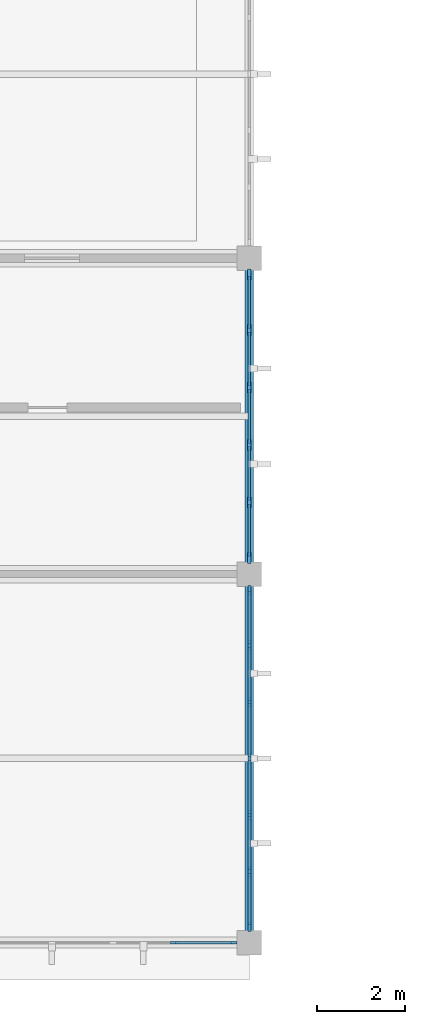
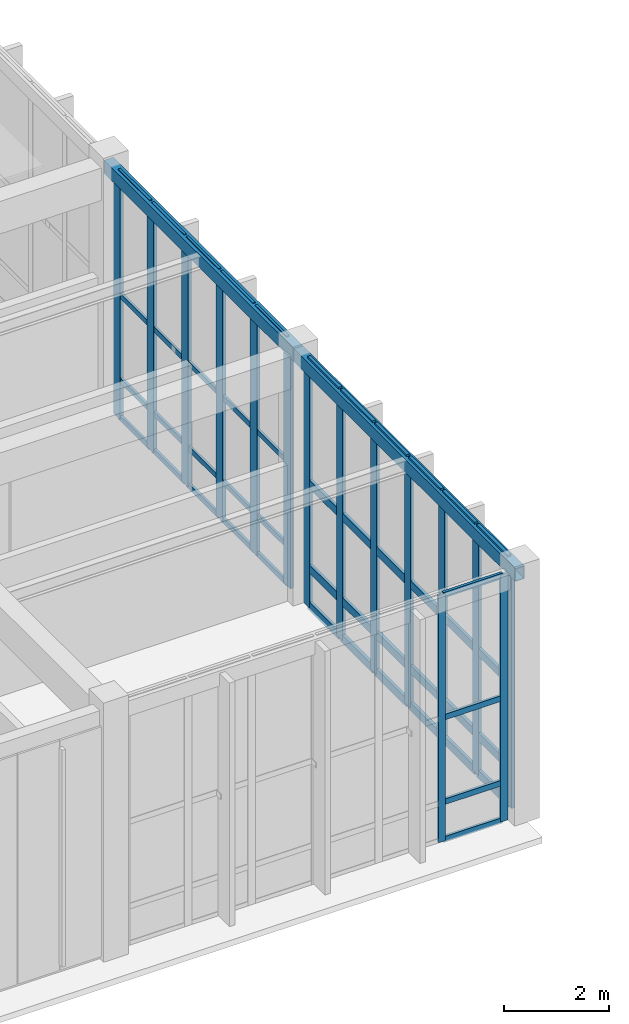
# One storey, part 22 of 105: 63 members, 2 beams, 3 elements without a shape of their own.
"""IFC4 building model written with IfcOpenShell, lengths in metres."""

import ifcopenshell
import ifcopenshell.guid

model = None  # the IFC model being written
_history = None  # IfcOwnerHistory: only IFC2X3 demands one
_inside = {}  # id of a spatial element -> (the spatial element, [elements in it])
_under = {}  # id of a project, library or spatial element -> (it, [spatial elements below it])
_declared = {}  # id of a project -> (the project, [libraries it declares])
_typed = {}  # id of a type object -> (the type object, [elements of that type])
_made_of = {}  # id of a material, layer set ... -> (it, [elements and type objects made of it])


def new_model(schema):
    """Start an empty IFC model of exactly this schema.

    Asked for "IFC4X3", IfcOpenShell would pick the latest addendum, in which some entities
    have other attributes; the version numbers below select the first issue.
    IFC2X3 requires an IfcOwnerHistory on every rooted entity: one is made here for all.
    """
    global model, _history
    if schema == "IFC4X3":
        model = ifcopenshell.file(schema_version=(4, 3, 0, 0))
    else:
        model = ifcopenshell.file(schema=schema)
    _inside.clear()
    _under.clear()
    _declared.clear()
    _typed.clear()
    _made_of.clear()
    _history = None
    if model.schema == "IFC2X3":
        org = make("IfcOrganization", Name="unknown")
        user = make(
            "IfcPersonAndOrganization",
            ThePerson=make("IfcPerson", FamilyName="unknown"),
            TheOrganization=org,
        )
        app = make(
            "IfcApplication",
            ApplicationDeveloper=org,
            Version="unknown",
            ApplicationFullName="unknown",
            ApplicationIdentifier="unknown",
        )
        _history = make(
            "IfcOwnerHistory",
            OwningUser=user,
            OwningApplication=app,
            ChangeAction="ADDED",
            CreationDate=0,
        )
    return model


def make(cls, **values):
    """One entity of the class cls with the attributes given. An attribute that is None is left unset."""
    return model.create_entity(
        cls, **{name: value for name, value in values.items() if value is not None}
    )


def rooted(cls, **values):
    """An entity with a GlobalId (a new one), such as an element, a storey or a relation."""
    return make(cls, GlobalId=ifcopenshell.guid.new(), OwnerHistory=_history, **values)


def si_unit(unit_type, name, prefix=None):
    """IfcSIUnit, for example si_unit("LENGTHUNIT", "METRE", prefix="MILLI")."""
    return make("IfcSIUnit", UnitType=unit_type, Prefix=prefix, Name=name)


def assignment(units):
    """IfcUnitAssignment: the units of a project."""
    return None if units is None else make("IfcUnitAssignment", Units=units)


def point(xyz):
    """IfcCartesianPoint."""
    return None if xyz is None else make("IfcCartesianPoint", Coordinates=xyz)


def direction(xyz):
    """IfcDirection."""
    return None if xyz is None else make("IfcDirection", DirectionRatios=xyz)


def frame(location, z_axis=None, x_axis=None):
    """IfcAxis2Placement3D, a coordinate frame: its origin and axes. An axis left out is left unset."""
    return make(
        "IfcAxis2Placement3D",
        Location=point(location),
        Axis=direction(z_axis),
        RefDirection=direction(x_axis),
    )


def frame_2d(location, x_axis=None):
    """IfcAxis2Placement2D, a coordinate frame in the plane: its origin and x axis."""
    return make(
        "IfcAxis2Placement2D", Location=point(location), RefDirection=direction(x_axis)
    )


def origin():
    """The frame at (0, 0, 0) with its axes left unset."""
    return frame((0.0, 0.0, 0.0))


def origin_2d():
    """The frame at (0, 0) in the plane with its x axis left unset."""
    return frame_2d((0.0, 0.0))


def place(relative_to, where):
    """IfcLocalPlacement: puts the frame where relative to a parent placement (None: the world)."""
    return make(
        "IfcLocalPlacement", PlacementRelTo=relative_to, RelativePlacement=where
    )


def context(
    kind, dimensions, precision=None, world=None, true_north=None, identifier=None
):
    """IfcGeometricRepresentationContext, for example the 3D "Model" context."""
    return make(
        "IfcGeometricRepresentationContext",
        ContextIdentifier=identifier,
        ContextType=kind,
        CoordinateSpaceDimension=dimensions,
        Precision=precision,
        WorldCoordinateSystem=world,
        TrueNorth=true_north,
    )


def subcontext(parent, identifier, kind, view, scale=None):
    """IfcGeometricRepresentationSubContext, for example "Body" below "Model"."""
    return make(
        "IfcGeometricRepresentationSubContext",
        ContextIdentifier=identifier,
        ContextType=kind,
        ParentContext=parent,
        TargetScale=scale,
        TargetView=view,
    )


def project(units=None, contexts=None):
    """IfcProject with its units and contexts."""
    return rooted(
        "IfcProject",
        Name="project",
        RepresentationContexts=contexts,
        UnitsInContext=assignment(units),
    )


def spatial(cls, under=None, at=None, **own):
    """A site, building, storey or space (cls), placed at a placement, below another one or the project."""
    s = rooted(cls, ObjectPlacement=at, **own)
    if under is not None:
        _under.setdefault(under.id(), (under, []))[1].append(s)
    return s


def profile(cls, at=None, kind="AREA", **sizes):
    """A parametric profile (cls). Its sizes go by their IFC names, for example OverallWidth=200.0."""
    return make(cls, ProfileType=kind, Position=at, **sizes)


def rectangle(**sizes):
    """IfcRectangleProfileDef."""
    return profile("IfcRectangleProfileDef", **sizes)


def hollow_rectangle(**sizes):
    """IfcRectangleHollowProfileDef."""
    return profile("IfcRectangleHollowProfileDef", **sizes)


def extrude(swept, where, along, depth):
    """IfcExtrudedAreaSolid: the profile swept, set in the frame where, extruded along a direction by depth."""
    return make(
        "IfcExtrudedAreaSolid",
        SweptArea=swept,
        Position=where,
        ExtrudedDirection=direction(along),
        Depth=depth,
    )


def shape(context_of_items, identifier, shape_type, items):
    """IfcShapeRepresentation: the items that make up one representation, for example the "Body"."""
    return make(
        "IfcShapeRepresentation",
        ContextOfItems=context_of_items,
        RepresentationIdentifier=identifier,
        RepresentationType=shape_type,
        Items=items,
    )


def material(Name=None, Category=None):
    """IfcMaterial."""
    return make("IfcMaterial", Name=Name, Category=Category)


def material_profile(
    of_material, cross_section, Name=None, Category=None, Priority=None
):
    """IfcMaterialProfile: a cross section and its material."""
    return make(
        "IfcMaterialProfile",
        Name=Name,
        Material=of_material,
        Profile=cross_section,
        Priority=Priority,
        Category=Category,
    )


def profile_set(profiles, Name=None, composite=None):
    """IfcMaterialProfileSet."""
    return make(
        "IfcMaterialProfileSet",
        Name=Name,
        MaterialProfiles=profiles,
        CompositeProfile=composite,
    )


def made_of(thing, what):
    """Note that an element or type object is made of a material, layer set ...; save() writes the relation."""
    if what is not None:
        _made_of.setdefault(what.id(), (what, []))[1].append(thing)
    return thing


def type_object(cls, material=None, **own):
    """A type object (cls), such as IfcWallType, which elements share."""
    return made_of(rooted(cls, **own), material)


def element(
    cls,
    number,
    at=None,
    inside=None,
    cuts=None,
    type_object=None,
    material=None,
    context=None,
    identifier="Body",
    shape_type=None,
    held_by="IfcProductDefinitionShape",
    body=None,
    shapes=None,
    **own,
):
    """One element of the class cls, such as IfcWall. Its Tag is "e" and its number.

    at: its placement. inside: the storey or other place that contains it. cuts: it is an
    opening in that element (IfcRelVoidsElement). A single representation is given by context,
    identifier, shape_type and body (its items); several are given by shapes. held_by: the class
    of the entity that holds the representations. save() writes the other relations.
    """
    e = rooted(cls, Tag="e%d" % number, ObjectPlacement=at, **own)
    if body is not None:
        shapes = [shape(context, identifier, shape_type, body)]
    if shapes is not None:
        e.Representation = make(held_by, Representations=shapes)
    if inside is not None:
        _inside.setdefault(inside.id(), (inside, []))[1].append(e)
    if cuts is not None:
        rooted(
            "IfcRelVoidsElement", RelatingBuildingElement=cuts, RelatedOpeningElement=e
        )
    if type_object is not None:
        _typed.setdefault(type_object.id(), (type_object, []))[1].append(e)
    return made_of(e, material)


def aggregate(whole, parts):
    """IfcRelAggregates: a whole, such as a stair, and the parts it consists of."""
    return rooted("IfcRelAggregates", RelatingObject=whole, RelatedObjects=parts)


def save(model, path):
    """Write the relations noted so far, then the file.

    IfcRelAggregates (storeys below a building ...), IfcRelContainedInSpatialStructure (elements
    in a storey), IfcRelDefinesByType, IfcRelAssociatesMaterial and IfcRelDeclares: one each for
    every whole, place, type object, material and project.
    """
    for whole, parts in _under.values():
        aggregate(whole, parts)
    for where, things in _inside.values():
        rooted(
            "IfcRelContainedInSpatialStructure",
            RelatedElements=things,
            RelatingStructure=where,
        )
    for kind, things in _typed.values():
        rooted("IfcRelDefinesByType", RelatedObjects=things, RelatingType=kind)
    for what, things in _made_of.values():
        rooted("IfcRelAssociatesMaterial", RelatedObjects=things, RelatingMaterial=what)
    for by, libraries in _declared.values():
        rooted("IfcRelDeclares", RelatingContext=by, RelatedDefinitions=libraries)
    model.write(path)


model = new_model("IFC4")

# Units and contexts
model_context = context("Model", 3, precision=1e-05, world=origin(), true_north=direction((0.0, 1.0)))
body_context = subcontext(model_context, "Body", "Model", "MODEL_VIEW")
ifc_project = project(units=[si_unit("LENGTHUNIT", "METRE"), si_unit("AREAUNIT", "SQUARE_METRE"), si_unit("VOLUMEUNIT", "CUBIC_METRE"), si_unit("PLANEANGLEUNIT", "RADIAN"), si_unit("MASSUNIT", "GRAM", prefix="KILO")], contexts=[model_context])

# Site, building, storey
site_placement = place(None, origin())
site = spatial("IfcSite", under=ifc_project, at=site_placement, CompositionType="ELEMENT")
building_placement = place(site_placement, origin())
building = spatial("IfcBuilding", under=site, at=building_placement, Name="Tizgana Railside Sports Hall", CompositionType="ELEMENT")
storey_placement = place(building_placement, frame((0.0, 0.0, 6.0)))
storey = spatial("IfcBuildingStorey", under=building, at=storey_placement, Name="L01", CompositionType="ELEMENT", Elevation=6.0)

# Curtain wall, members
ifc_material_1 = material(Name="Anodised aluminium and glass", Category="aluminium")
curtain_wall_type_1 = type_object("IfcCurtainWallType", Name="Unitised Curtain Wall Climbing 1600", PredefinedType="NOTDEFINED", material=ifc_material_1)
curtain_wall_1_placement = place(storey_placement, origin())
curtain_wall_1 = element("IfcCurtainWall", 1, at=curtain_wall_1_placement, inside=storey, type_object=curtain_wall_type_1, Name="L01 Curtain Wall CW-0091", PredefinedType="NOTDEFINED")
ifc_material_2 = material(Name="Anodised aluminium", Category="aluminium")
ifc_material_profile_1 = material_profile(ifc_material_2, rectangle(XDim=0.06005859375, YDim=0.159912109375, at=origin_2d()), Name="Mullion 60x160")
ifc_profile_set_1 = profile_set([ifc_material_profile_1], Name="Anodised aluminium")
member_type_1 = type_object("IfcMemberType", Name="Mullion 60x160", PredefinedType="MULLION", material=ifc_profile_set_1)
member_1_placement = place(storey_placement, frame((97.43994140625, 0.0, 0.0), z_axis=(0.0, 0.0, 1.0), x_axis=(0.0, -1.0, 0.0)))
member_1 = element("IfcMember", 2, at=member_1_placement, type_object=member_type_1, Name="CW-04 mullion 1", PredefinedType="MULLION", context=body_context, shape_type="SweptSolid", body=[
    extrude(rectangle(XDim=0.06005859375, YDim=0.159912109375, at=origin_2d()), origin(), (0.0, 0.0, 1.0), 5.719970703125),
])
member_2_placement = place(storey_placement, frame((96.080078125, 0.0, 0.0), z_axis=(0.0, 0.0, 1.0), x_axis=(0.0, -1.0, 0.0)))
member_2 = element("IfcMember", 3, at=member_2_placement, type_object=member_type_1, Name="CW-04 mullion 2", PredefinedType="MULLION", context=body_context, shape_type="SweptSolid", body=[
    extrude(rectangle(XDim=0.06005859375, YDim=0.159912109375, at=origin_2d()), origin(), (0.0, 0.0, 1.0), 5.719970703125),
])

curtain_wall_type_2 = type_object("IfcCurtainWallType", Name="Unitised Curtain Wall Clinic 1200", PredefinedType="NOTDEFINED", material=ifc_material_1)
curtain_wall_2_placement = place(storey_placement, origin())
curtain_wall_2 = element("IfcCurtainWall", 4, at=curtain_wall_2_placement, inside=storey, type_object=curtain_wall_type_2, Name="L01 Curtain Wall CW-0100", PredefinedType="NOTDEFINED")
ifc_material_profile_2 = material_profile(ifc_material_2, rectangle(XDim=0.070068359375, YDim=0.219970703125, at=origin_2d()), Name="Mullion 70x220")
ifc_profile_set_2 = profile_set([ifc_material_profile_2], Name="Anodised aluminium")
member_type_2 = type_object("IfcMemberType", Name="Mullion 70x220", PredefinedType="MULLION", material=ifc_profile_set_2)
member_3_placement = place(storey_placement, frame((97.800048828125, 8.034912109375, 0.0), z_axis=(0.0, 0.0, 1.0), x_axis=(1.0, 0.0, 0.0)))
member_3 = element("IfcMember", 5, at=member_3_placement, type_object=member_type_2, Name="CW-05 mullion 1", PredefinedType="MULLION", context=body_context, shape_type="SweptSolid", body=[
    extrude(rectangle(XDim=0.070068359375, YDim=0.219970703125, at=origin_2d()), origin(), (0.0, 0.0, 1.0), 5.719970703125),
])
member_4_placement = place(storey_placement, frame((97.800048828125, 6.780029296875, 0.0), z_axis=(0.0, 0.0, 1.0), x_axis=(1.0, 0.0, 0.0)))
member_4 = element("IfcMember", 6, at=member_4_placement, type_object=member_type_2, Name="CW-05 mullion 2", PredefinedType="MULLION", context=body_context, shape_type="SweptSolid", body=[
    extrude(rectangle(XDim=0.070068359375, YDim=0.219970703125, at=origin_2d()), origin(), (0.0, 0.0, 1.0), 5.719970703125),
])
member_5_placement = place(storey_placement, frame((97.800048828125, 5.489990234375, 0.0), z_axis=(0.0, 0.0, 1.0), x_axis=(1.0, 0.0, 0.0)))
member_5 = element("IfcMember", 7, at=member_5_placement, type_object=member_type_2, Name="CW-05 mullion 3", PredefinedType="MULLION", context=body_context, shape_type="SweptSolid", body=[
    extrude(rectangle(XDim=0.070068359375, YDim=0.219970703125, at=origin_2d()), origin(), (0.0, 0.0, 1.0), 5.719970703125),
])
member_6_placement = place(storey_placement, frame((97.800048828125, 4.199951171875, 0.0), z_axis=(0.0, 0.0, 1.0), x_axis=(1.0, 0.0, 0.0)))
member_6 = element("IfcMember", 8, at=member_6_placement, type_object=member_type_2, Name="CW-05 mullion 4", PredefinedType="MULLION", context=body_context, shape_type="SweptSolid", body=[
    extrude(rectangle(XDim=0.070068359375, YDim=0.219970703125, at=origin_2d()), origin(), (0.0, 0.0, 1.0), 5.719970703125),
])
member_7_placement = place(storey_placement, frame((97.800048828125, 2.909912109375, 0.0), z_axis=(0.0, 0.0, 1.0), x_axis=(1.0, 0.0, 0.0)))
member_7 = element("IfcMember", 9, at=member_7_placement, type_object=member_type_2, Name="CW-05 mullion 5", PredefinedType="MULLION", context=body_context, shape_type="SweptSolid", body=[
    extrude(rectangle(XDim=0.070068359375, YDim=0.219970703125, at=origin_2d()), origin(), (0.0, 0.0, 1.0), 5.719970703125),
])
member_8_placement = place(storey_placement, frame((97.800048828125, 1.6201171875, 0.0), z_axis=(0.0, 0.0, 1.0), x_axis=(1.0, 0.0, 0.0)))
member_8 = element("IfcMember", 10, at=member_8_placement, type_object=member_type_2, Name="CW-05 mullion 6", PredefinedType="MULLION", context=body_context, shape_type="SweptSolid", body=[
    extrude(rectangle(XDim=0.070068359375, YDim=0.219970703125, at=origin_2d()), origin(), (0.0, 0.0, 1.0), 5.719970703125),
])
member_9_placement = place(storey_placement, frame((97.800048828125, 0.364990234375, 0.0), z_axis=(0.0, 0.0, 1.0), x_axis=(1.0, 0.0, 0.0)))
member_9 = element("IfcMember", 11, at=member_9_placement, type_object=member_type_2, Name="CW-05 mullion 7", PredefinedType="MULLION", context=body_context, shape_type="SweptSolid", body=[
    extrude(rectangle(XDim=0.070068359375, YDim=0.219970703125, at=origin_2d()), origin(), (0.0, 0.0, 1.0), 5.719970703125),
])

curtain_wall_type_3 = type_object("IfcCurtainWallType", Name="Unitised Curtain Wall Passage 1800", PredefinedType="NOTDEFINED", material=ifc_material_1)
curtain_wall_3_placement = place(storey_placement, origin())
curtain_wall_3 = element("IfcCurtainWall", 12, at=curtain_wall_3_placement, inside=storey, type_object=curtain_wall_type_3, Name="L01 Curtain Wall CW-0101", PredefinedType="NOTDEFINED")
ifc_material_profile_3 = material_profile(ifc_material_2, rectangle(XDim=0.074951171875, YDim=0.25, at=origin_2d()), Name="Mullion 75x250")
ifc_profile_set_3 = profile_set([ifc_material_profile_3], Name="Anodised aluminium")
member_type_3 = type_object("IfcMemberType", Name="Mullion 75x250", PredefinedType="MULLION", material=ifc_profile_set_3)
member_10_placement = place(storey_placement, frame((97.800048828125, 15.232421875, 0.0), z_axis=(0.0, 0.0, 1.0), x_axis=(1.0, 0.0, 0.0)))
member_10 = element("IfcMember", 13, at=member_10_placement, type_object=member_type_3, Name="CW-06 mullion 1", PredefinedType="MULLION", context=body_context, shape_type="SweptSolid", body=[
    extrude(rectangle(XDim=0.074951171875, YDim=0.25, at=origin_2d()), origin(), (0.0, 0.0, 1.0), 5.719970703125),
])
member_11_placement = place(storey_placement, frame((97.800048828125, 13.9619140625, 0.0), z_axis=(0.0, 0.0, 1.0), x_axis=(1.0, 0.0, 0.0)))
member_11 = element("IfcMember", 14, at=member_11_placement, type_object=member_type_3, Name="CW-06 mullion 2", PredefinedType="MULLION", context=body_context, shape_type="SweptSolid", body=[
    extrude(rectangle(XDim=0.074951171875, YDim=0.25, at=origin_2d()), origin(), (0.0, 0.0, 1.0), 5.719970703125),
])
member_12_placement = place(storey_placement, frame((97.800048828125, 12.654052734375, 0.0), z_axis=(0.0, 0.0, 1.0), x_axis=(1.0, 0.0, 0.0)))
member_12 = element("IfcMember", 15, at=member_12_placement, type_object=member_type_3, Name="CW-06 mullion 3", PredefinedType="MULLION", context=body_context, shape_type="SweptSolid", body=[
    extrude(rectangle(XDim=0.074951171875, YDim=0.25, at=origin_2d()), origin(), (0.0, 0.0, 1.0), 5.719970703125),
])
member_13_placement = place(storey_placement, frame((97.800048828125, 11.345947265625, 0.0), z_axis=(0.0, 0.0, 1.0), x_axis=(1.0, 0.0, 0.0)))
member_13 = element("IfcMember", 16, at=member_13_placement, type_object=member_type_3, Name="CW-06 mullion 4", PredefinedType="MULLION", context=body_context, shape_type="SweptSolid", body=[
    extrude(rectangle(XDim=0.074951171875, YDim=0.25, at=origin_2d()), origin(), (0.0, 0.0, 1.0), 5.719970703125),
])
member_14_placement = place(storey_placement, frame((97.800048828125, 10.0380859375, 0.0), z_axis=(0.0, 0.0, 1.0), x_axis=(1.0, 0.0, 0.0)))
member_14 = element("IfcMember", 17, at=member_14_placement, type_object=member_type_3, Name="CW-06 mullion 5", PredefinedType="MULLION", context=body_context, shape_type="SweptSolid", body=[
    extrude(rectangle(XDim=0.074951171875, YDim=0.25, at=origin_2d()), origin(), (0.0, 0.0, 1.0), 5.719970703125),
])
member_15_placement = place(storey_placement, frame((97.800048828125, 8.767578125, 0.0), z_axis=(0.0, 0.0, 1.0), x_axis=(1.0, 0.0, 0.0)))
member_15 = element("IfcMember", 18, at=member_15_placement, type_object=member_type_3, Name="CW-06 mullion 6", PredefinedType="MULLION", context=body_context, shape_type="SweptSolid", body=[
    extrude(rectangle(XDim=0.074951171875, YDim=0.25, at=origin_2d()), origin(), (0.0, 0.0, 1.0), 5.719970703125),
])

# Beams
ifc_material_3 = material(Name="Steel S355J2", Category="steel")
ifc_material_profile_4 = material_profile(ifc_material_3, hollow_rectangle(XDim=0.199951171875, YDim=0.300048828125, WallThickness=0.010009765625, at=origin_2d()), Name="RHS 300x200x10")
ifc_profile_set_4 = profile_set([ifc_material_profile_4], Name="Steel S355J2")
beam_type = type_object("IfcBeamType", Name="Steel Spandrel RHS 300x200x10", PredefinedType="SPANDREL", material=ifc_profile_set_4)
beam_1_placement = place(storey_placement, frame((97.800048828125, 0.0, 5.5859375), z_axis=(0.0, 1.0, 0.0), x_axis=(-1.0, 0.0, 0.0)))
element("IfcBeam", 19, at=beam_1_placement, inside=storey, type_object=beam_type, Name="L01 BEM-0506", PredefinedType="SPANDREL", context=body_context, shape_type="SweptSolid", body=[
    extrude(hollow_rectangle(XDim=0.199951171875, YDim=0.300048828125, WallThickness=0.010009765625, at=origin_2d()), origin(), (0.0, 0.0, 1.0), 8.39990234375),
])
beam_2_placement = place(storey_placement, frame((97.800048828125, 8.39990234375, 5.5859375), z_axis=(0.0, 1.0, 0.0), x_axis=(-1.0, 0.0, 0.0)))
element("IfcBeam", 20, at=beam_2_placement, inside=storey, type_object=beam_type, Name="L01 BEM-0507", PredefinedType="SPANDREL", context=body_context, shape_type="SweptSolid", body=[
    extrude(hollow_rectangle(XDim=0.199951171875, YDim=0.300048828125, WallThickness=0.010009765625, at=origin_2d()), origin(), (0.0, 0.0, 1.0), 7.2001953125),
])

# Member
ifc_material_profile_5 = material_profile(ifc_material_2, rectangle(XDim=0.054931640625, YDim=0.1201171875, at=origin_2d()), Name="Transom 55x120")
ifc_profile_set_5 = profile_set([ifc_material_profile_5], Name="Anodised aluminium")
member_type_4 = type_object("IfcMemberType", Name="Transom 55x120", PredefinedType="USERDEFINED", material=ifc_profile_set_5)
member_16_placement = place(storey_placement, frame((97.800048828125, 15.195068359375, 0.027587890625), z_axis=(0.0, -1.0, 0.0), x_axis=(1.0, 0.0, 0.0)))
member_16 = element("IfcMember", 21, at=member_16_placement, type_object=member_type_4, Name="CW-06 transom 1.1", ObjectType="TRANSOM", PredefinedType="USERDEFINED", context=body_context, shape_type="SweptSolid", body=[
    extrude(rectangle(XDim=0.054931640625, YDim=0.1201171875, at=origin_2d()), origin(), (0.0, 0.0, 1.0), 1.195556640625),
])

member_17_placement = place(storey_placement, frame((97.800048828125, 15.195068359375, 0.89990234375), z_axis=(0.0, -1.0, 0.0), x_axis=(1.0, 0.0, 0.0)))
member_17 = element("IfcMember", 22, at=member_17_placement, type_object=member_type_4, Name="CW-06 transom 1.2", ObjectType="TRANSOM", PredefinedType="USERDEFINED", context=body_context, shape_type="SweptSolid", body=[
    extrude(rectangle(XDim=0.054931640625, YDim=0.1201171875, at=origin_2d()), origin(), (0.0, 0.0, 1.0), 1.195556640625),
])

member_18_placement = place(storey_placement, frame((97.800048828125, 15.195068359375, 2.860107421875), z_axis=(0.0, -1.0, 0.0), x_axis=(1.0, 0.0, 0.0)))
member_18 = element("IfcMember", 23, at=member_18_placement, type_object=member_type_4, Name="CW-06 transom 1.3", ObjectType="TRANSOM", PredefinedType="USERDEFINED", context=body_context, shape_type="SweptSolid", body=[
    extrude(rectangle(XDim=0.054931640625, YDim=0.1201171875, at=origin_2d()), origin(), (0.0, 0.0, 1.0), 1.195556640625),
])

member_19_placement = place(storey_placement, frame((97.800048828125, 15.195068359375, 5.6923828125), z_axis=(0.0, -1.0, 0.0), x_axis=(1.0, 0.0, 0.0)))
member_19 = element("IfcMember", 24, at=member_19_placement, type_object=member_type_4, Name="CW-06 transom 1.4", ObjectType="TRANSOM", PredefinedType="USERDEFINED", context=body_context, shape_type="SweptSolid", body=[
    extrude(rectangle(XDim=0.054931640625, YDim=0.1201171875, at=origin_2d()), origin(), (0.0, 0.0, 1.0), 1.195556640625),
])

member_20_placement = place(storey_placement, frame((97.800048828125, 13.924560546875, 0.027587890625), z_axis=(0.0, -1.0, 0.0), x_axis=(1.0, 0.0, 0.0)))
member_20 = element("IfcMember", 25, at=member_20_placement, type_object=member_type_4, Name="CW-06 transom 2.1", ObjectType="TRANSOM", PredefinedType="USERDEFINED", context=body_context, shape_type="SweptSolid", body=[
    extrude(rectangle(XDim=0.054931640625, YDim=0.1201171875, at=origin_2d()), origin(), (0.0, 0.0, 1.0), 1.233154296875),
])

member_21_placement = place(storey_placement, frame((97.800048828125, 13.924560546875, 0.89990234375), z_axis=(0.0, -1.0, 0.0), x_axis=(1.0, 0.0, 0.0)))
member_21 = element("IfcMember", 26, at=member_21_placement, type_object=member_type_4, Name="CW-06 transom 2.2", ObjectType="TRANSOM", PredefinedType="USERDEFINED", context=body_context, shape_type="SweptSolid", body=[
    extrude(rectangle(XDim=0.054931640625, YDim=0.1201171875, at=origin_2d()), origin(), (0.0, 0.0, 1.0), 1.233154296875),
])

member_22_placement = place(storey_placement, frame((97.800048828125, 13.924560546875, 2.860107421875), z_axis=(0.0, -1.0, 0.0), x_axis=(1.0, 0.0, 0.0)))
member_22 = element("IfcMember", 27, at=member_22_placement, type_object=member_type_4, Name="CW-06 transom 2.3", ObjectType="TRANSOM", PredefinedType="USERDEFINED", context=body_context, shape_type="SweptSolid", body=[
    extrude(rectangle(XDim=0.054931640625, YDim=0.1201171875, at=origin_2d()), origin(), (0.0, 0.0, 1.0), 1.233154296875),
])

member_23_placement = place(storey_placement, frame((97.800048828125, 13.924560546875, 5.6923828125), z_axis=(0.0, -1.0, 0.0), x_axis=(1.0, 0.0, 0.0)))
member_23 = element("IfcMember", 28, at=member_23_placement, type_object=member_type_4, Name="CW-06 transom 2.4", ObjectType="TRANSOM", PredefinedType="USERDEFINED", context=body_context, shape_type="SweptSolid", body=[
    extrude(rectangle(XDim=0.054931640625, YDim=0.1201171875, at=origin_2d()), origin(), (0.0, 0.0, 1.0), 1.233154296875),
])

member_24_placement = place(storey_placement, frame((97.800048828125, 12.616455078125, 0.027587890625), z_axis=(0.0, -1.0, 0.0), x_axis=(1.0, 0.0, 0.0)))
member_24 = element("IfcMember", 29, at=member_24_placement, type_object=member_type_4, Name="CW-06 transom 3.1", ObjectType="TRANSOM", PredefinedType="USERDEFINED", context=body_context, shape_type="SweptSolid", body=[
    extrude(rectangle(XDim=0.054931640625, YDim=0.1201171875, at=origin_2d()), origin(), (0.0, 0.0, 1.0), 1.23291015625),
])

member_25_placement = place(storey_placement, frame((97.800048828125, 12.616455078125, 0.89990234375), z_axis=(0.0, -1.0, 0.0), x_axis=(1.0, 0.0, 0.0)))
member_25 = element("IfcMember", 30, at=member_25_placement, type_object=member_type_4, Name="CW-06 transom 3.2", ObjectType="TRANSOM", PredefinedType="USERDEFINED", context=body_context, shape_type="SweptSolid", body=[
    extrude(rectangle(XDim=0.054931640625, YDim=0.1201171875, at=origin_2d()), origin(), (0.0, 0.0, 1.0), 1.23291015625),
])

member_26_placement = place(storey_placement, frame((97.800048828125, 12.616455078125, 2.860107421875), z_axis=(0.0, -1.0, 0.0), x_axis=(1.0, 0.0, 0.0)))
member_26 = element("IfcMember", 31, at=member_26_placement, type_object=member_type_4, Name="CW-06 transom 3.3", ObjectType="TRANSOM", PredefinedType="USERDEFINED", context=body_context, shape_type="SweptSolid", body=[
    extrude(rectangle(XDim=0.054931640625, YDim=0.1201171875, at=origin_2d()), origin(), (0.0, 0.0, 1.0), 1.23291015625),
])

member_27_placement = place(storey_placement, frame((97.800048828125, 12.616455078125, 5.6923828125), z_axis=(0.0, -1.0, 0.0), x_axis=(1.0, 0.0, 0.0)))
member_27 = element("IfcMember", 32, at=member_27_placement, type_object=member_type_4, Name="CW-06 transom 3.4", ObjectType="TRANSOM", PredefinedType="USERDEFINED", context=body_context, shape_type="SweptSolid", body=[
    extrude(rectangle(XDim=0.054931640625, YDim=0.1201171875, at=origin_2d()), origin(), (0.0, 0.0, 1.0), 1.23291015625),
])

member_28_placement = place(storey_placement, frame((97.800048828125, 11.30859375, 0.027587890625), z_axis=(0.0, -1.0, 0.0), x_axis=(1.0, 0.0, 0.0)))
member_28 = element("IfcMember", 33, at=member_28_placement, type_object=member_type_4, Name="CW-06 transom 4.1", ObjectType="TRANSOM", PredefinedType="USERDEFINED", context=body_context, shape_type="SweptSolid", body=[
    extrude(rectangle(XDim=0.054931640625, YDim=0.1201171875, at=origin_2d()), origin(), (0.0, 0.0, 1.0), 1.233154296875),
])

member_29_placement = place(storey_placement, frame((97.800048828125, 11.30859375, 0.89990234375), z_axis=(0.0, -1.0, 0.0), x_axis=(1.0, 0.0, 0.0)))
member_29 = element("IfcMember", 34, at=member_29_placement, type_object=member_type_4, Name="CW-06 transom 4.2", ObjectType="TRANSOM", PredefinedType="USERDEFINED", context=body_context, shape_type="SweptSolid", body=[
    extrude(rectangle(XDim=0.054931640625, YDim=0.1201171875, at=origin_2d()), origin(), (0.0, 0.0, 1.0), 1.233154296875),
])

member_30_placement = place(storey_placement, frame((97.800048828125, 11.30859375, 2.860107421875), z_axis=(0.0, -1.0, 0.0), x_axis=(1.0, 0.0, 0.0)))
member_30 = element("IfcMember", 35, at=member_30_placement, type_object=member_type_4, Name="CW-06 transom 4.3", ObjectType="TRANSOM", PredefinedType="USERDEFINED", context=body_context, shape_type="SweptSolid", body=[
    extrude(rectangle(XDim=0.054931640625, YDim=0.1201171875, at=origin_2d()), origin(), (0.0, 0.0, 1.0), 1.233154296875),
])

member_31_placement = place(storey_placement, frame((97.800048828125, 11.30859375, 5.6923828125), z_axis=(0.0, -1.0, 0.0), x_axis=(1.0, 0.0, 0.0)))
member_31 = element("IfcMember", 36, at=member_31_placement, type_object=member_type_4, Name="CW-06 transom 4.4", ObjectType="TRANSOM", PredefinedType="USERDEFINED", context=body_context, shape_type="SweptSolid", body=[
    extrude(rectangle(XDim=0.054931640625, YDim=0.1201171875, at=origin_2d()), origin(), (0.0, 0.0, 1.0), 1.233154296875),
])

member_32_placement = place(storey_placement, frame((97.800048828125, 10.00048828125, 0.027587890625), z_axis=(0.0, -1.0, 0.0), x_axis=(1.0, 0.0, 0.0)))
member_32 = element("IfcMember", 37, at=member_32_placement, type_object=member_type_4, Name="CW-06 transom 5.1", ObjectType="TRANSOM", PredefinedType="USERDEFINED", context=body_context, shape_type="SweptSolid", body=[
    extrude(rectangle(XDim=0.054931640625, YDim=0.1201171875, at=origin_2d()), origin(), (0.0, 0.0, 1.0), 1.195556640625),
])

member_33_placement = place(storey_placement, frame((97.800048828125, 10.00048828125, 0.89990234375), z_axis=(0.0, -1.0, 0.0), x_axis=(1.0, 0.0, 0.0)))
member_33 = element("IfcMember", 38, at=member_33_placement, type_object=member_type_4, Name="CW-06 transom 5.2", ObjectType="TRANSOM", PredefinedType="USERDEFINED", context=body_context, shape_type="SweptSolid", body=[
    extrude(rectangle(XDim=0.054931640625, YDim=0.1201171875, at=origin_2d()), origin(), (0.0, 0.0, 1.0), 1.195556640625),
])

member_34_placement = place(storey_placement, frame((97.800048828125, 10.00048828125, 2.860107421875), z_axis=(0.0, -1.0, 0.0), x_axis=(1.0, 0.0, 0.0)))
member_34 = element("IfcMember", 39, at=member_34_placement, type_object=member_type_4, Name="CW-06 transom 5.3", ObjectType="TRANSOM", PredefinedType="USERDEFINED", context=body_context, shape_type="SweptSolid", body=[
    extrude(rectangle(XDim=0.054931640625, YDim=0.1201171875, at=origin_2d()), origin(), (0.0, 0.0, 1.0), 1.195556640625),
])

member_35_placement = place(storey_placement, frame((97.800048828125, 10.00048828125, 5.6923828125), z_axis=(0.0, -1.0, 0.0), x_axis=(1.0, 0.0, 0.0)))
member_35 = element("IfcMember", 40, at=member_35_placement, type_object=member_type_4, Name="CW-06 transom 5.4", ObjectType="TRANSOM", PredefinedType="USERDEFINED", context=body_context, shape_type="SweptSolid", body=[
    extrude(rectangle(XDim=0.054931640625, YDim=0.1201171875, at=origin_2d()), origin(), (0.0, 0.0, 1.0), 1.195556640625),
])

aggregate(curtain_wall_3, [member_10, member_11, member_12, member_13, member_14, member_15, member_16, member_17, member_18, member_19, member_20, member_21, member_22, member_23, member_24, member_25, member_26, member_27, member_28, member_29, member_30, member_31, member_32, member_33, member_34, member_35])

ifc_material_profile_6 = material_profile(ifc_material_2, rectangle(XDim=0.06005859375, YDim=0.1298828125, at=origin_2d()), Name="Transom 60x130")
ifc_profile_set_6 = profile_set([ifc_material_profile_6], Name="Anodised aluminium")
member_type_5 = type_object("IfcMemberType", Name="Transom 60x130", PredefinedType="USERDEFINED", material=ifc_profile_set_6)
member_36_placement = place(storey_placement, frame((97.409912109375, 0.0, 0.030029296875), z_axis=(-1.0, 0.0, 0.0), x_axis=(0.0, -1.0, 0.0)))
member_36 = element("IfcMember", 41, at=member_36_placement, type_object=member_type_5, Name="CW-04 transom 1.1", ObjectType="TRANSOM", PredefinedType="USERDEFINED", context=body_context, shape_type="SweptSolid", body=[
    extrude(rectangle(XDim=0.06005859375, YDim=0.1298828125, at=origin_2d()), origin(), (0.0, 0.0, 1.0), 1.2998046875),
])

member_37_placement = place(storey_placement, frame((97.409912109375, 0.0, 0.89990234375), z_axis=(-1.0, 0.0, 0.0), x_axis=(0.0, -1.0, 0.0)))
member_37 = element("IfcMember", 42, at=member_37_placement, type_object=member_type_5, Name="CW-04 transom 1.2", ObjectType="TRANSOM", PredefinedType="USERDEFINED", context=body_context, shape_type="SweptSolid", body=[
    extrude(rectangle(XDim=0.06005859375, YDim=0.1298828125, at=origin_2d()), origin(), (0.0, 0.0, 1.0), 1.2998046875),
])

member_38_placement = place(storey_placement, frame((97.409912109375, 0.0, 2.860107421875), z_axis=(-1.0, 0.0, 0.0), x_axis=(0.0, -1.0, 0.0)))
member_38 = element("IfcMember", 43, at=member_38_placement, type_object=member_type_5, Name="CW-04 transom 1.3", ObjectType="TRANSOM", PredefinedType="USERDEFINED", context=body_context, shape_type="SweptSolid", body=[
    extrude(rectangle(XDim=0.06005859375, YDim=0.1298828125, at=origin_2d()), origin(), (0.0, 0.0, 1.0), 1.2998046875),
])

member_39_placement = place(storey_placement, frame((97.409912109375, 0.0, 5.68994140625), z_axis=(-1.0, 0.0, 0.0), x_axis=(0.0, -1.0, 0.0)))
member_39 = element("IfcMember", 44, at=member_39_placement, type_object=member_type_5, Name="CW-04 transom 1.4", ObjectType="TRANSOM", PredefinedType="USERDEFINED", context=body_context, shape_type="SweptSolid", body=[
    extrude(rectangle(XDim=0.06005859375, YDim=0.1298828125, at=origin_2d()), origin(), (0.0, 0.0, 1.0), 1.2998046875),
])

aggregate(curtain_wall_1, [member_1, member_2, member_36, member_37, member_38, member_39])

ifc_material_profile_7 = material_profile(ifc_material_2, rectangle(XDim=0.070068359375, YDim=0.18994140625, at=origin_2d()), Name="Transom 70x190")
ifc_profile_set_7 = profile_set([ifc_material_profile_7], Name="Anodised aluminium")
member_type_6 = type_object("IfcMemberType", Name="Transom 70x190", PredefinedType="USERDEFINED", material=ifc_profile_set_7)
member_40_placement = place(storey_placement, frame((97.800048828125, 8.0, 0.034912109375), z_axis=(0.0, -1.0, 0.0), x_axis=(1.0, 0.0, 0.0)))
member_40 = element("IfcMember", 45, at=member_40_placement, type_object=member_type_6, Name="CW-05 transom 1.1", ObjectType="TRANSOM", PredefinedType="USERDEFINED", context=body_context, shape_type="SweptSolid", body=[
    extrude(rectangle(XDim=0.070068359375, YDim=0.18994140625, at=origin_2d()), origin(), (0.0, 0.0, 1.0), 1.18505859375),
])

member_41_placement = place(storey_placement, frame((97.800048828125, 8.0, 0.89990234375), z_axis=(0.0, -1.0, 0.0), x_axis=(1.0, 0.0, 0.0)))
member_41 = element("IfcMember", 46, at=member_41_placement, type_object=member_type_6, Name="CW-05 transom 1.2", ObjectType="TRANSOM", PredefinedType="USERDEFINED", context=body_context, shape_type="SweptSolid", body=[
    extrude(rectangle(XDim=0.070068359375, YDim=0.18994140625, at=origin_2d()), origin(), (0.0, 0.0, 1.0), 1.18505859375),
])

member_42_placement = place(storey_placement, frame((97.800048828125, 8.0, 2.860107421875), z_axis=(0.0, -1.0, 0.0), x_axis=(1.0, 0.0, 0.0)))
member_42 = element("IfcMember", 47, at=member_42_placement, type_object=member_type_6, Name="CW-05 transom 1.3", ObjectType="TRANSOM", PredefinedType="USERDEFINED", context=body_context, shape_type="SweptSolid", body=[
    extrude(rectangle(XDim=0.070068359375, YDim=0.18994140625, at=origin_2d()), origin(), (0.0, 0.0, 1.0), 1.18505859375),
])

member_43_placement = place(storey_placement, frame((97.800048828125, 8.0, 5.68505859375), z_axis=(0.0, -1.0, 0.0), x_axis=(1.0, 0.0, 0.0)))
member_43 = element("IfcMember", 48, at=member_43_placement, type_object=member_type_6, Name="CW-05 transom 1.4", ObjectType="TRANSOM", PredefinedType="USERDEFINED", context=body_context, shape_type="SweptSolid", body=[
    extrude(rectangle(XDim=0.070068359375, YDim=0.18994140625, at=origin_2d()), origin(), (0.0, 0.0, 1.0), 1.18505859375),
])

member_44_placement = place(storey_placement, frame((97.800048828125, 6.7451171875, 0.034912109375), z_axis=(0.0, -1.0, 0.0), x_axis=(1.0, 0.0, 0.0)))
member_44 = element("IfcMember", 49, at=member_44_placement, type_object=member_type_6, Name="CW-05 transom 2.1", ObjectType="TRANSOM", PredefinedType="USERDEFINED", context=body_context, shape_type="SweptSolid", body=[
    extrude(rectangle(XDim=0.070068359375, YDim=0.18994140625, at=origin_2d()), origin(), (0.0, 0.0, 1.0), 1.22021484375),
])

member_45_placement = place(storey_placement, frame((97.800048828125, 6.7451171875, 0.89990234375), z_axis=(0.0, -1.0, 0.0), x_axis=(1.0, 0.0, 0.0)))
member_45 = element("IfcMember", 50, at=member_45_placement, type_object=member_type_6, Name="CW-05 transom 2.2", ObjectType="TRANSOM", PredefinedType="USERDEFINED", context=body_context, shape_type="SweptSolid", body=[
    extrude(rectangle(XDim=0.070068359375, YDim=0.18994140625, at=origin_2d()), origin(), (0.0, 0.0, 1.0), 1.22021484375),
])

member_46_placement = place(storey_placement, frame((97.800048828125, 6.7451171875, 2.860107421875), z_axis=(0.0, -1.0, 0.0), x_axis=(1.0, 0.0, 0.0)))
member_46 = element("IfcMember", 51, at=member_46_placement, type_object=member_type_6, Name="CW-05 transom 2.3", ObjectType="TRANSOM", PredefinedType="USERDEFINED", context=body_context, shape_type="SweptSolid", body=[
    extrude(rectangle(XDim=0.070068359375, YDim=0.18994140625, at=origin_2d()), origin(), (0.0, 0.0, 1.0), 1.22021484375),
])

member_47_placement = place(storey_placement, frame((97.800048828125, 6.7451171875, 5.68505859375), z_axis=(0.0, -1.0, 0.0), x_axis=(1.0, 0.0, 0.0)))
member_47 = element("IfcMember", 52, at=member_47_placement, type_object=member_type_6, Name="CW-05 transom 2.4", ObjectType="TRANSOM", PredefinedType="USERDEFINED", context=body_context, shape_type="SweptSolid", body=[
    extrude(rectangle(XDim=0.070068359375, YDim=0.18994140625, at=origin_2d()), origin(), (0.0, 0.0, 1.0), 1.22021484375),
])

member_48_placement = place(storey_placement, frame((97.800048828125, 5.455078125, 0.034912109375), z_axis=(0.0, -1.0, 0.0), x_axis=(1.0, 0.0, 0.0)))
member_48 = element("IfcMember", 53, at=member_48_placement, type_object=member_type_6, Name="CW-05 transom 3.1", ObjectType="TRANSOM", PredefinedType="USERDEFINED", context=body_context, shape_type="SweptSolid", body=[
    extrude(rectangle(XDim=0.070068359375, YDim=0.18994140625, at=origin_2d()), origin(), (0.0, 0.0, 1.0), 1.219970703125),
])

member_49_placement = place(storey_placement, frame((97.800048828125, 5.455078125, 0.89990234375), z_axis=(0.0, -1.0, 0.0), x_axis=(1.0, 0.0, 0.0)))
member_49 = element("IfcMember", 54, at=member_49_placement, type_object=member_type_6, Name="CW-05 transom 3.2", ObjectType="TRANSOM", PredefinedType="USERDEFINED", context=body_context, shape_type="SweptSolid", body=[
    extrude(rectangle(XDim=0.070068359375, YDim=0.18994140625, at=origin_2d()), origin(), (0.0, 0.0, 1.0), 1.219970703125),
])

member_50_placement = place(storey_placement, frame((97.800048828125, 5.455078125, 2.860107421875), z_axis=(0.0, -1.0, 0.0), x_axis=(1.0, 0.0, 0.0)))
member_50 = element("IfcMember", 55, at=member_50_placement, type_object=member_type_6, Name="CW-05 transom 3.3", ObjectType="TRANSOM", PredefinedType="USERDEFINED", context=body_context, shape_type="SweptSolid", body=[
    extrude(rectangle(XDim=0.070068359375, YDim=0.18994140625, at=origin_2d()), origin(), (0.0, 0.0, 1.0), 1.219970703125),
])

member_51_placement = place(storey_placement, frame((97.800048828125, 5.455078125, 5.68505859375), z_axis=(0.0, -1.0, 0.0), x_axis=(1.0, 0.0, 0.0)))
member_51 = element("IfcMember", 56, at=member_51_placement, type_object=member_type_6, Name="CW-05 transom 3.4", ObjectType="TRANSOM", PredefinedType="USERDEFINED", context=body_context, shape_type="SweptSolid", body=[
    extrude(rectangle(XDim=0.070068359375, YDim=0.18994140625, at=origin_2d()), origin(), (0.0, 0.0, 1.0), 1.219970703125),
])

member_52_placement = place(storey_placement, frame((97.800048828125, 4.1650390625, 0.034912109375), z_axis=(0.0, -1.0, 0.0), x_axis=(1.0, 0.0, 0.0)))
member_52 = element("IfcMember", 57, at=member_52_placement, type_object=member_type_6, Name="CW-05 transom 4.1", ObjectType="TRANSOM", PredefinedType="USERDEFINED", context=body_context, shape_type="SweptSolid", body=[
    extrude(rectangle(XDim=0.070068359375, YDim=0.18994140625, at=origin_2d()), origin(), (0.0, 0.0, 1.0), 1.219970703125),
])

member_53_placement = place(storey_placement, frame((97.800048828125, 4.1650390625, 0.89990234375), z_axis=(0.0, -1.0, 0.0), x_axis=(1.0, 0.0, 0.0)))
member_53 = element("IfcMember", 58, at=member_53_placement, type_object=member_type_6, Name="CW-05 transom 4.2", ObjectType="TRANSOM", PredefinedType="USERDEFINED", context=body_context, shape_type="SweptSolid", body=[
    extrude(rectangle(XDim=0.070068359375, YDim=0.18994140625, at=origin_2d()), origin(), (0.0, 0.0, 1.0), 1.219970703125),
])

member_54_placement = place(storey_placement, frame((97.800048828125, 4.1650390625, 2.860107421875), z_axis=(0.0, -1.0, 0.0), x_axis=(1.0, 0.0, 0.0)))
member_54 = element("IfcMember", 59, at=member_54_placement, type_object=member_type_6, Name="CW-05 transom 4.3", ObjectType="TRANSOM", PredefinedType="USERDEFINED", context=body_context, shape_type="SweptSolid", body=[
    extrude(rectangle(XDim=0.070068359375, YDim=0.18994140625, at=origin_2d()), origin(), (0.0, 0.0, 1.0), 1.219970703125),
])

member_55_placement = place(storey_placement, frame((97.800048828125, 4.1650390625, 5.68505859375), z_axis=(0.0, -1.0, 0.0), x_axis=(1.0, 0.0, 0.0)))
member_55 = element("IfcMember", 60, at=member_55_placement, type_object=member_type_6, Name="CW-05 transom 4.4", ObjectType="TRANSOM", PredefinedType="USERDEFINED", context=body_context, shape_type="SweptSolid", body=[
    extrude(rectangle(XDim=0.070068359375, YDim=0.18994140625, at=origin_2d()), origin(), (0.0, 0.0, 1.0), 1.219970703125),
])

member_56_placement = place(storey_placement, frame((97.800048828125, 2.875, 0.034912109375), z_axis=(0.0, -1.0, 0.0), x_axis=(1.0, 0.0, 0.0)))
member_56 = element("IfcMember", 61, at=member_56_placement, type_object=member_type_6, Name="CW-05 transom 5.1", ObjectType="TRANSOM", PredefinedType="USERDEFINED", context=body_context, shape_type="SweptSolid", body=[
    extrude(rectangle(XDim=0.070068359375, YDim=0.18994140625, at=origin_2d()), origin(), (0.0, 0.0, 1.0), 1.219970703125),
])

member_57_placement = place(storey_placement, frame((97.800048828125, 2.875, 0.89990234375), z_axis=(0.0, -1.0, 0.0), x_axis=(1.0, 0.0, 0.0)))
member_57 = element("IfcMember", 62, at=member_57_placement, type_object=member_type_6, Name="CW-05 transom 5.2", ObjectType="TRANSOM", PredefinedType="USERDEFINED", context=body_context, shape_type="SweptSolid", body=[
    extrude(rectangle(XDim=0.070068359375, YDim=0.18994140625, at=origin_2d()), origin(), (0.0, 0.0, 1.0), 1.219970703125),
])

member_58_placement = place(storey_placement, frame((97.800048828125, 2.875, 2.860107421875), z_axis=(0.0, -1.0, 0.0), x_axis=(1.0, 0.0, 0.0)))
member_58 = element("IfcMember", 63, at=member_58_placement, type_object=member_type_6, Name="CW-05 transom 5.3", ObjectType="TRANSOM", PredefinedType="USERDEFINED", context=body_context, shape_type="SweptSolid", body=[
    extrude(rectangle(XDim=0.070068359375, YDim=0.18994140625, at=origin_2d()), origin(), (0.0, 0.0, 1.0), 1.219970703125),
])

member_59_placement = place(storey_placement, frame((97.800048828125, 2.875, 5.68505859375), z_axis=(0.0, -1.0, 0.0), x_axis=(1.0, 0.0, 0.0)))
member_59 = element("IfcMember", 64, at=member_59_placement, type_object=member_type_6, Name="CW-05 transom 5.4", ObjectType="TRANSOM", PredefinedType="USERDEFINED", context=body_context, shape_type="SweptSolid", body=[
    extrude(rectangle(XDim=0.070068359375, YDim=0.18994140625, at=origin_2d()), origin(), (0.0, 0.0, 1.0), 1.219970703125),
])

member_60_placement = place(storey_placement, frame((97.800048828125, 1.5849609375, 0.034912109375), z_axis=(0.0, -1.0, 0.0), x_axis=(1.0, 0.0, 0.0)))
member_60 = element("IfcMember", 65, at=member_60_placement, type_object=member_type_6, Name="CW-05 transom 6.1", ObjectType="TRANSOM", PredefinedType="USERDEFINED", context=body_context, shape_type="SweptSolid", body=[
    extrude(rectangle(XDim=0.070068359375, YDim=0.18994140625, at=origin_2d()), origin(), (0.0, 0.0, 1.0), 1.18505859375),
])

member_61_placement = place(storey_placement, frame((97.800048828125, 1.5849609375, 0.89990234375), z_axis=(0.0, -1.0, 0.0), x_axis=(1.0, 0.0, 0.0)))
member_61 = element("IfcMember", 66, at=member_61_placement, type_object=member_type_6, Name="CW-05 transom 6.2", ObjectType="TRANSOM", PredefinedType="USERDEFINED", context=body_context, shape_type="SweptSolid", body=[
    extrude(rectangle(XDim=0.070068359375, YDim=0.18994140625, at=origin_2d()), origin(), (0.0, 0.0, 1.0), 1.18505859375),
])

member_62_placement = place(storey_placement, frame((97.800048828125, 1.5849609375, 2.860107421875), z_axis=(0.0, -1.0, 0.0), x_axis=(1.0, 0.0, 0.0)))
member_62 = element("IfcMember", 67, at=member_62_placement, type_object=member_type_6, Name="CW-05 transom 6.3", ObjectType="TRANSOM", PredefinedType="USERDEFINED", context=body_context, shape_type="SweptSolid", body=[
    extrude(rectangle(XDim=0.070068359375, YDim=0.18994140625, at=origin_2d()), origin(), (0.0, 0.0, 1.0), 1.18505859375),
])

member_63_placement = place(storey_placement, frame((97.800048828125, 1.5849609375, 5.68505859375), z_axis=(0.0, -1.0, 0.0), x_axis=(1.0, 0.0, 0.0)))
member_63 = element("IfcMember", 68, at=member_63_placement, type_object=member_type_6, Name="CW-05 transom 6.4", ObjectType="TRANSOM", PredefinedType="USERDEFINED", context=body_context, shape_type="SweptSolid", body=[
    extrude(rectangle(XDim=0.070068359375, YDim=0.18994140625, at=origin_2d()), origin(), (0.0, 0.0, 1.0), 1.18505859375),
])

aggregate(curtain_wall_2, [member_3, member_4, member_5, member_6, member_7, member_8, member_9, member_40, member_41, member_42, member_43, member_44, member_45, member_46, member_47, member_48, member_49, member_50, member_51, member_52, member_53, member_54, member_55, member_56, member_57, member_58, member_59, member_60, member_61, member_62, member_63])

save(model, "model.ifc")
